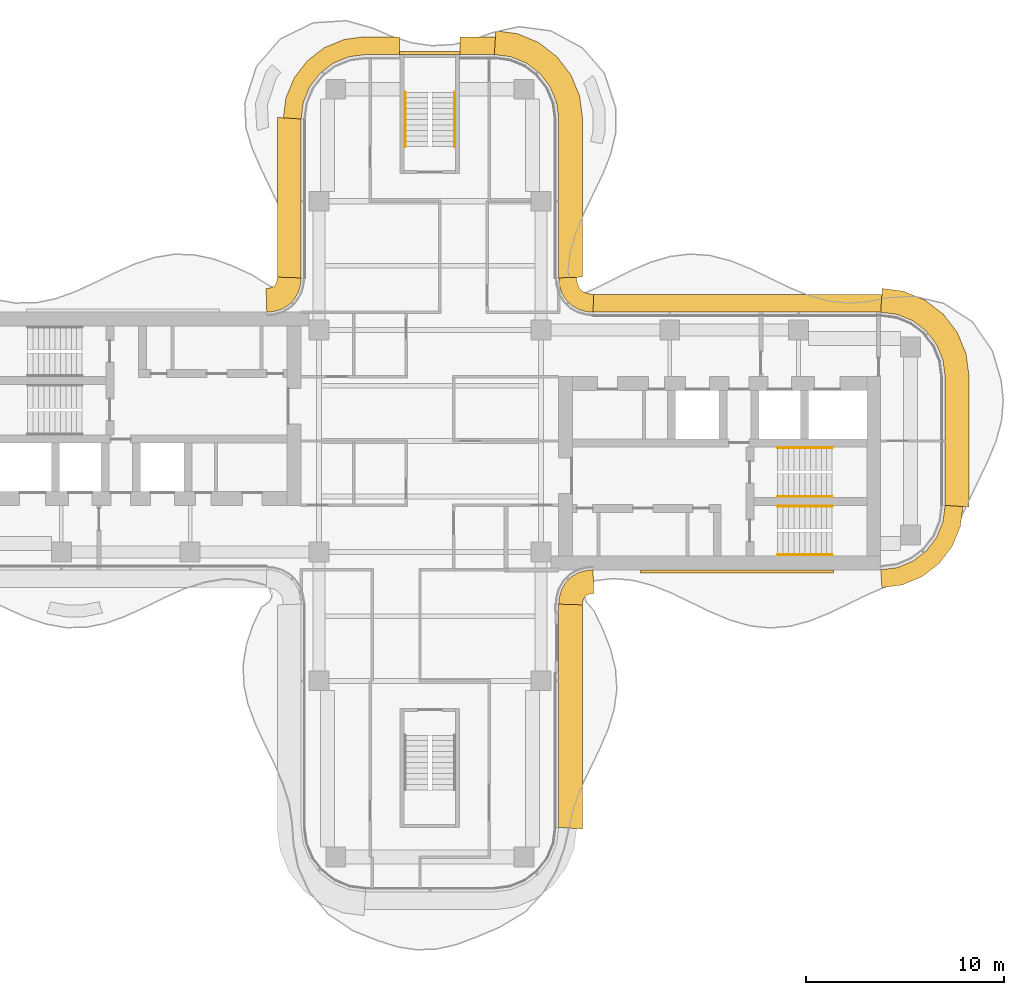
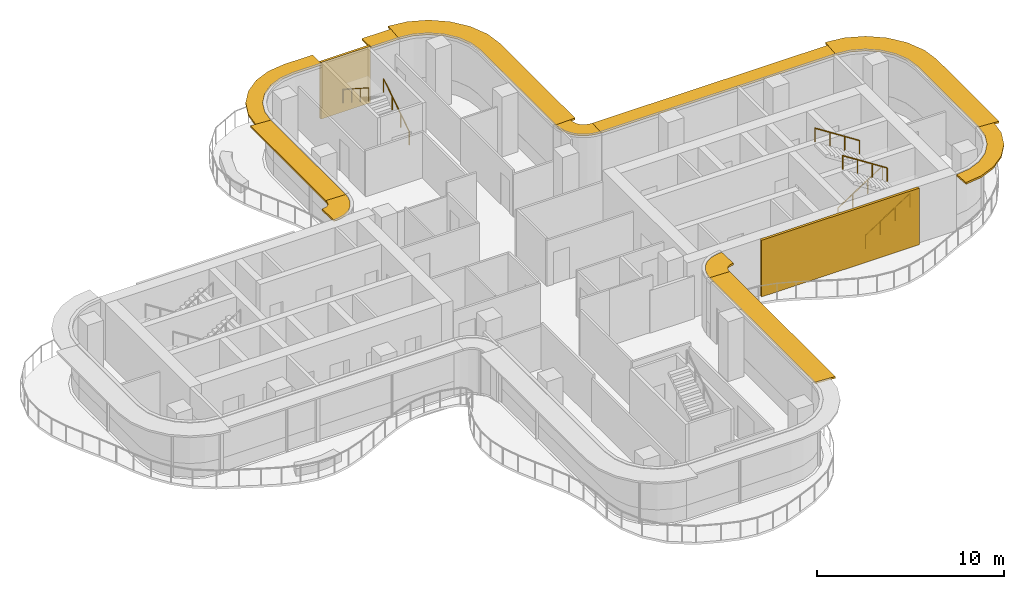
# One storey, part 16 of 16: 11 shading devices, 6 railings, 2 coverings.
"""IFC4 building model written with IfcOpenShell, lengths in metres."""

from ifc_helpers import new_model, si_unit, direction, frame, origin, origin_2d, place, context, subcontext, project, spatial, polyline, circle, outline, extrude, source, transform, mapped, material, layer, layer_set, type_object, element, save


model = new_model("IFC4")

# Units and contexts
model_context = context("Model", 3, precision=1e-05, world=origin(), true_north=direction((0.0, 1.0)))
body_context = subcontext(model_context, "Body", "Model", "MODEL_VIEW")
ifc_project = project(units=[si_unit("LENGTHUNIT", "METRE"), si_unit("AREAUNIT", "SQUARE_METRE"), si_unit("VOLUMEUNIT", "CUBIC_METRE"), si_unit("PLANEANGLEUNIT", "RADIAN"), si_unit("MASSUNIT", "GRAM", prefix="KILO")], contexts=[model_context])

# Site, building, storey
site_placement = place(None, origin())
site = spatial("IfcSite", under=ifc_project, at=site_placement, CompositionType="ELEMENT")
building_placement = place(site_placement, origin())
building = spatial("IfcBuilding", under=site, at=building_placement, Name="Trellis Farm Tower", CompositionType="ELEMENT")
storey_placement = place(building_placement, frame((0.0, 0.0, 314.5)))
storey = spatial("IfcBuildingStorey", under=building, at=storey_placement, Name="L71", CompositionType="ELEMENT", Elevation=314.5)

# Railings
ifc_material_1 = material(Name="Stainless steel", Category="steel")
railing_type = type_object("IfcRailingType", Name="STAIR HANDRAIL 900", PredefinedType="HANDRAIL", material=ifc_material_1)
shared_shape_1 = source(origin(), body_context, "Body", "SweptSolid", [
    extrude(circle(Radius=0.02392578125, at=origin_2d()), frame((0.0, 0.0, 0.8759765625), z_axis=(0.0, 0.840503830235, 0.541805602924), x_axis=(-1.0, 0.0, 0.0)), (0.0, 0.0, 1.0), 3.271728515625),
    extrude(circle(Radius=0.02099609375, at=origin_2d()), origin(), (0.0, 0.0, 1.0), 0.851806640625),
    extrude(circle(Radius=0.02099609375, at=origin_2d()), frame((0.0, 0.916748046875, 0.5908203125)), (0.0, 0.0, 1.0), 0.851806640625),
    extrude(circle(Radius=0.02099609375, at=origin_2d()), frame((0.0, 1.833251953125, 1.181884765625)), (0.0, 0.0, 1.0), 0.851806640625),
    extrude(circle(Radius=0.02099609375, at=origin_2d()), frame((0.0, 2.75, 1.772705078125)), (0.0, 0.0, 1.0), 0.851806640625),
])
railing_1_placement = place(storey_placement, frame((1.25, 14.85009765625, 0.17724609375)))
element("IfcRailing", 1, at=railing_1_placement, inside=storey, type_object=railing_type, Name="Stair handrail", PredefinedType="HANDRAIL", context=body_context, shape_type="MappedRepresentation", body=[
    mapped(shared_shape_1, transform((0.0, 0.0, 0.0))),
])
shared_shape_2 = source(origin(), body_context, "Body", "SweptSolid", [
    extrude(circle(Radius=0.02392578125, at=origin_2d()), frame((0.0, 0.0, 0.8759765625), z_axis=(0.0, -0.840503830235, 0.541805602924), x_axis=(1.0, 0.0, 0.0)), (0.0, 0.0, 1.0), 3.271728515625),
    extrude(circle(Radius=0.02099609375, at=origin_2d()), origin(), (0.0, 0.0, 1.0), 0.851806640625),
    extrude(circle(Radius=0.02099609375, at=origin_2d()), frame((0.0, -0.916748046875, 0.5908203125)), (0.0, 0.0, 1.0), 0.851806640625),
    extrude(circle(Radius=0.02099609375, at=origin_2d()), frame((0.0, -1.833251953125, 1.181884765625)), (0.0, 0.0, 1.0), 0.851806640625),
    extrude(circle(Radius=0.02099609375, at=origin_2d()), frame((0.0, -2.75, 1.772705078125)), (0.0, 0.0, 1.0), 0.851806640625),
])
railing_2_placement = place(storey_placement, frame((-1.25, 17.60009765625, 2.127197265625)))
element("IfcRailing", 2, at=railing_2_placement, inside=storey, type_object=railing_type, Name="Stair handrail", PredefinedType="HANDRAIL", context=body_context, shape_type="MappedRepresentation", body=[
    mapped(shared_shape_2, transform((0.0, 0.0, 0.0))),
])
shared_shape_3 = source(origin(), body_context, "Body", "SweptSolid", [
    extrude(circle(Radius=0.02392578125, at=origin_2d()), frame((0.0, 0.0, 0.8759765625), z_axis=(0.840503830235, 0.0, 0.541805602924), x_axis=(0.0, 1.0, 0.0)), (0.0, 0.0, 1.0), 3.271728515625),
    extrude(circle(Radius=0.02099609375, at=origin_2d()), origin(), (0.0, 0.0, 1.0), 0.851806640625),
    extrude(circle(Radius=0.02099609375, at=origin_2d()), frame((0.916748046875, 0.0, 0.5908203125)), (0.0, 0.0, 1.0), 0.851806640625),
    extrude(circle(Radius=0.02099609375, at=origin_2d()), frame((1.833251953125, 0.0, 1.181884765625)), (0.0, 0.0, 1.0), 0.851806640625),
    extrude(circle(Radius=0.02099609375, at=origin_2d()), frame((2.75, 0.0, 1.772705078125)), (0.0, 0.0, 1.0), 0.851806640625),
])
for number, where, name in (
    (3, (17.550048828125, -5.75, 0.17724609375), "Stair handrail"),
    (4, (17.550048828125, -2.800048828125, 0.17724609375), "Stair handrail"),
):
    element("IfcRailing", number, at=place(storey_placement, frame(where)), inside=storey, type_object=railing_type, Name=name, PredefinedType="HANDRAIL", context=body_context, shape_type="MappedRepresentation", body=[
        mapped(shared_shape_3, transform((0.0, 0.0, 0.0))),
    ])
shared_shape_4 = source(origin(), body_context, "Body", "SweptSolid", [
    extrude(circle(Radius=0.02392578125, at=origin_2d()), frame((0.0, 0.0, 0.8759765625), z_axis=(-0.840503830235, 0.0, 0.541805602924), x_axis=(0.0, -1.0, 0.0)), (0.0, 0.0, 1.0), 3.271728515625),
    extrude(circle(Radius=0.02099609375, at=origin_2d()), origin(), (0.0, 0.0, 1.0), 0.851806640625),
    extrude(circle(Radius=0.02099609375, at=origin_2d()), frame((-0.916748046875, 0.0, 0.5908203125)), (0.0, 0.0, 1.0), 0.851806640625),
    extrude(circle(Radius=0.02099609375, at=origin_2d()), frame((-1.833251953125, 0.0, 1.181884765625)), (0.0, 0.0, 1.0), 0.851806640625),
    extrude(circle(Radius=0.02099609375, at=origin_2d()), frame((-2.75, 0.0, 1.772705078125)), (0.0, 0.0, 1.0), 0.851806640625),
])
for number, where, name in (
    (5, (20.300048828125, -3.300048828125, 2.127197265625), "Stair handrail"),
    (6, (20.300048828125, -0.35009765625, 2.127197265625), "Stair handrail"),
):
    element("IfcRailing", number, at=place(storey_placement, frame(where)), inside=storey, type_object=railing_type, Name=name, PredefinedType="HANDRAIL", context=body_context, shape_type="MappedRepresentation", body=[
        mapped(shared_shape_4, transform((0.0, 0.0, 0.0))),
    ])

# Shading devices
ifc_material_2 = material(Name="Aluminium extrusion 6063-T6", Category="aluminium")
ifc_layer_1 = layer(ifc_material_2, 0.1201171875)
ifc_layer_set_1 = layer_set([ifc_layer_1], Name="SUNSHADE BLADE 1200")
shading_device_type_1 = type_object("IfcShadingDeviceType", Name="SUNSHADE BLADE 1200", PredefinedType="USERDEFINED", material=ifc_layer_set_1)
shared_shape_5 = source(origin(), body_context, "Body", "SweptSolid", [
    extrude(outline(polyline([(7.699951171875, -8.270751953125), (7.708740234375, -8.13720703125), (7.70703125, -8.150146484375), (7.7548828125, -7.9716796875), (7.80712890625, -7.881103515625), (7.881103515625, -7.80712890625), (7.9716796875, -7.7548828125), (8.150146484375, -7.70703125), (8.13720703125, -7.708740234375), (8.270751953125, -7.699951171875), (8.2314453125, -6.5), (8.01953125, -6.513916015625), (7.91552734375, -6.527587890625), (7.508544921875, -6.63671875), (7.144287109375, -6.846923828125), (6.846923828125, -7.144287109375), (6.63671875, -7.508544921875), (6.527587890625, -7.91552734375), (6.513916015625, -8.01953125), (6.5, -8.2314453125), (7.699951171875, -8.270751953125)])), origin(), (0.0, 0.0, 1.0), 0.119873046875),
])
placement_1 = place(storey_placement, frame((0.0, 0.0, 3.5400390625)))
element("IfcShadingDevice", 7, at=placement_1, inside=storey, type_object=shading_device_type_1, Name="SD2 006", ObjectType="SUNSHADE", PredefinedType="USERDEFINED", context=body_context, shape_type="MappedRepresentation", body=[
    mapped(shared_shape_5, transform((0.0, 0.0, 0.0))),
])
ifc_layer_2 = layer(ifc_material_2, 0.1201171875)
ifc_layer_set_2 = layer_set([ifc_layer_2], Name="SUNSHADE BLADE 900")
shading_device_type_2 = type_object("IfcShadingDeviceType", Name="SUNSHADE BLADE 900", PredefinedType="USERDEFINED", material=ifc_layer_set_2)
shared_shape_6 = source(origin(), body_context, "Body", "SweptSolid", [
    extrude(outline(polyline([(8.2607421875, 7.39990234375), (8.107666015625, 7.409912109375), (8.091552734375, 7.412109375), (7.85595703125, 7.475341796875), (7.697021484375, 7.567138671875), (7.567138671875, 7.697021484375), (7.475341796875, 7.85595703125), (7.412109375, 8.091552734375), (7.409912109375, 8.107666015625), (7.39990234375, 8.2607421875), (6.5, 8.2314453125), (6.513916015625, 8.01953125), (6.527587890625, 7.91552734375), (6.63671875, 7.508544921875), (6.846923828125, 7.144287109375), (7.144287109375, 6.846923828125), (7.508544921875, 6.63671875), (7.91552734375, 6.527587890625), (8.01953125, 6.513916015625), (8.2314453125, 6.5), (8.2607421875, 7.39990234375)])), origin(), (0.0, 0.0, 1.0), 0.119873046875),
])
element("IfcShadingDevice", 8, at=placement_1, inside=storey, type_object=shading_device_type_2, Name="SD1 010", ObjectType="SUNSHADE", PredefinedType="USERDEFINED", context=body_context, shape_type="MappedRepresentation", body=[
    mapped(shared_shape_6, transform((0.0, 0.0, 0.0))),
])
shared_shape_7 = source(origin(), body_context, "Body", "SweptSolid", [
    extrude(outline(polyline([(-7.699951171875, 8.270751953125), (-7.708740234375, 8.13720703125), (-7.70703125, 8.150146484375), (-7.7548828125, 7.9716796875), (-7.80712890625, 7.881103515625), (-7.881103515625, 7.80712890625), (-7.9716796875, 7.7548828125), (-8.150146484375, 7.70703125), (-8.13720703125, 7.708740234375), (-8.270751953125, 7.699951171875), (-8.2314453125, 6.5), (-8.01953125, 6.513916015625), (-7.91552734375, 6.527587890625), (-7.508544921875, 6.63671875), (-7.144287109375, 6.846923828125), (-6.846923828125, 7.144287109375), (-6.63671875, 7.508544921875), (-6.527587890625, 7.91552734375), (-6.513916015625, 8.01953125), (-6.5, 8.2314453125), (-7.699951171875, 8.270751953125)])), origin(), (0.0, 0.0, 1.0), 0.119873046875),
])
element("IfcShadingDevice", 9, at=placement_1, inside=storey, type_object=shading_device_type_1, Name="SD2 015", ObjectType="SUNSHADE", PredefinedType="USERDEFINED", context=body_context, shape_type="MappedRepresentation", body=[
    mapped(shared_shape_7, transform((0.0, 0.0, 0.0))),
])

# Covering
ifc_material_3 = material(Name="Perforated precast screen (cobogo)", Category="concrete")
ifc_layer_3 = layer(ifc_material_3, 0.14990234375)
ifc_layer_set_3 = layer_set([ifc_layer_3], Name="COBOGO SCREEN PANEL")
covering_type = type_object("IfcCoveringType", Name="COBOGO SCREEN PANEL", PredefinedType="USERDEFINED", material=ifc_layer_set_3)
shared_shape_8 = source(origin(), body_context, "Body", "SweptSolid", [
    extrude(outline(polyline([(10.61572265625, -6.64990234375), (20.36572265625, -6.64990234375), (20.36572265625, -6.5), (10.61572265625, -6.5), (10.61572265625, -6.64990234375)])), origin(), (0.0, 0.0, 1.0), 3.699951171875),
])
placement_2 = place(storey_placement, origin())
element("IfcCovering", 10, at=placement_2, inside=storey, type_object=covering_type, Name="SC1 01", ObjectType="SCREEN", PredefinedType="USERDEFINED", context=body_context, shape_type="MappedRepresentation", body=[
    mapped(shared_shape_8, transform((0.0, 0.0, 0.0))),
])

# Shading devices
shared_shape_9 = source(origin(), body_context, "Body", "SweptSolid", [
    extrude(outline(polyline([(22.80908203125, -7.39990234375), (23.826171875, -7.26611328125), (24.828857421875, -6.850830078125), (25.68994140625, -6.18994140625), (26.350830078125, -5.328857421875), (26.76611328125, -4.326171875), (26.89990234375, -3.30908203125), (26.0, -3.25), (25.88916015625, -4.091064453125), (25.564697265625, -4.875), (25.048095703125, -5.548095703125), (24.375, -6.064697265625), (23.591064453125, -6.38916015625), (22.75, -6.5), (22.80908203125, -7.39990234375)])), origin(), (0.0, 0.0, 1.0), 0.119873046875),
])
element("IfcShadingDevice", 11, at=placement_1, inside=storey, type_object=shading_device_type_2, Name="SD1 007", ObjectType="SUNSHADE", PredefinedType="USERDEFINED", context=body_context, shape_type="MappedRepresentation", body=[
    mapped(shared_shape_9, transform((0.0, 0.0, 0.0))),
])
shared_shape_10 = source(origin(), body_context, "Body", "SweptSolid", [
    extrude(outline(polyline([(27.199951171875, -3.32861328125), (27.199951171875, 3.32861328125), (27.058349609375, 4.404541015625), (26.61279296875, 5.480224609375), (25.904052734375, 6.404052734375), (24.980224609375, 7.11279296875), (23.904541015625, 7.558349609375), (22.82861328125, 7.699951171875), (22.75, 6.5), (23.591064453125, 6.38916015625), (24.375, 6.064697265625), (25.048095703125, 5.548095703125), (25.564697265625, 4.875), (25.88916015625, 4.091064453125), (26.0, 3.25), (26.0, -3.25), (27.199951171875, -3.32861328125)])), origin(), (0.0, 0.0, 1.0), 0.119873046875),
])
element("IfcShadingDevice", 12, at=placement_1, inside=storey, type_object=shading_device_type_1, Name="SD2 008", ObjectType="SUNSHADE", PredefinedType="USERDEFINED", context=body_context, shape_type="MappedRepresentation", body=[
    mapped(shared_shape_10, transform((0.0, 0.0, 0.0))),
])
shared_shape_11 = source(origin(), body_context, "Body", "SweptSolid", [
    extrude(outline(polyline([(22.80908203125, 7.39990234375), (8.2607421875, 7.39990234375), (8.2314453125, 6.5), (22.75, 6.5), (22.80908203125, 7.39990234375)])), origin(), (0.0, 0.0, 1.0), 0.119873046875),
])
element("IfcShadingDevice", 13, at=placement_1, inside=storey, type_object=shading_device_type_2, Name="SD1 009", ObjectType="SUNSHADE", PredefinedType="USERDEFINED", context=body_context, shape_type="MappedRepresentation", body=[
    mapped(shared_shape_11, transform((0.0, 0.0, 0.0))),
])
shared_shape_12 = source(origin(), body_context, "Body", "SweptSolid", [
    extrude(outline(polyline([(7.699951171875, -19.57861328125), (7.699951171875, -8.270751953125), (6.5, -8.2314453125), (6.5, -19.5), (7.699951171875, -19.57861328125)])), origin(), (0.0, 0.0, 1.0), 0.119873046875),
])
element("IfcShadingDevice", 14, at=placement_1, inside=storey, type_object=shading_device_type_1, Name="SD2 005", ObjectType="SUNSHADE", PredefinedType="USERDEFINED", context=body_context, shape_type="MappedRepresentation", body=[
    mapped(shared_shape_12, transform((0.0, 0.0, 0.0))),
])

# Covering
shared_shape_13 = source(origin(), body_context, "Body", "SweptSolid", [
    extrude(outline(polyline([(1.530029296875, 19.64990234375), (-1.530029296875, 19.64990234375), (-1.530029296875, 19.5), (1.530029296875, 19.5), (1.530029296875, 19.64990234375)])), origin(), (0.0, 0.0, 1.0), 3.699951171875),
])
element("IfcCovering", 15, at=placement_2, inside=storey, type_object=covering_type, Name="SC1 02", ObjectType="SCREEN", PredefinedType="USERDEFINED", context=body_context, shape_type="MappedRepresentation", body=[
    mapped(shared_shape_13, transform((0.0, 0.0, 0.0))),
])

# Shading devices
shared_shape_14 = source(origin(), body_context, "Body", "SweptSolid", [
    extrude(outline(polyline([(7.699951171875, 8.270751953125), (7.699951171875, 16.32861328125), (7.558349609375, 17.404541015625), (7.11279296875, 18.480224609375), (6.404052734375, 19.404052734375), (5.480224609375, 20.11279296875), (4.404541015625, 20.558349609375), (3.32861328125, 20.699951171875), (3.25, 19.5), (4.091064453125, 19.38916015625), (4.875, 19.064697265625), (5.548095703125, 18.548095703125), (6.064697265625, 17.875), (6.38916015625, 17.091064453125), (6.5, 16.25), (6.5, 8.2314453125), (7.699951171875, 8.270751953125)])), origin(), (0.0, 0.0, 1.0), 0.119873046875),
])
element("IfcShadingDevice", 16, at=placement_1, inside=storey, type_object=shading_device_type_1, Name="SD2 011", ObjectType="SUNSHADE", PredefinedType="USERDEFINED", context=body_context, shape_type="MappedRepresentation", body=[
    mapped(shared_shape_14, transform((0.0, 0.0, 0.0))),
])
shared_shape_15 = source(origin(), body_context, "Body", "SweptSolid", [
    extrude(outline(polyline([(3.30908203125, 20.39990234375), (1.530029296875, 20.39990234375), (1.530029296875, 19.5), (3.25, 19.5), (3.30908203125, 20.39990234375)])), origin(), (0.0, 0.0, 1.0), 0.119873046875),
])
element("IfcShadingDevice", 17, at=placement_1, inside=storey, type_object=shading_device_type_2, Name="SD1 012", ObjectType="SUNSHADE", PredefinedType="USERDEFINED", context=body_context, shape_type="MappedRepresentation", body=[
    mapped(shared_shape_15, transform((0.0, 0.0, 0.0))),
])
shared_shape_16 = source(origin(), body_context, "Body", "SweptSolid", [
    extrude(outline(polyline([(-1.530029296875, 20.39990234375), (-3.30908203125, 20.39990234375), (-4.326171875, 20.26611328125), (-5.328857421875, 19.850830078125), (-6.18994140625, 19.18994140625), (-6.850830078125, 18.328857421875), (-7.26611328125, 17.326171875), (-7.39990234375, 16.30908203125), (-6.5, 16.25), (-6.38916015625, 17.091064453125), (-6.064697265625, 17.875), (-5.548095703125, 18.548095703125), (-4.875, 19.064697265625), (-4.091064453125, 19.38916015625), (-3.25, 19.5), (-1.530029296875, 19.5), (-1.530029296875, 20.39990234375)])), origin(), (0.0, 0.0, 1.0), 0.119873046875),
])
element("IfcShadingDevice", 18, at=placement_1, inside=storey, type_object=shading_device_type_2, Name="SD1 013", ObjectType="SUNSHADE", PredefinedType="USERDEFINED", context=body_context, shape_type="MappedRepresentation", body=[
    mapped(shared_shape_16, transform((0.0, 0.0, 0.0))),
])
shared_shape_17 = source(origin(), body_context, "Body", "SweptSolid", [
    extrude(outline(polyline([(-7.699951171875, 16.32861328125), (-7.699951171875, 8.270751953125), (-6.5, 8.2314453125), (-6.5, 16.25), (-7.699951171875, 16.32861328125)])), origin(), (0.0, 0.0, 1.0), 0.119873046875),
])
element("IfcShadingDevice", 19, at=placement_1, inside=storey, type_object=shading_device_type_1, Name="SD2 014", ObjectType="SUNSHADE", PredefinedType="USERDEFINED", context=body_context, shape_type="MappedRepresentation", body=[
    mapped(shared_shape_17, transform((0.0, 0.0, 0.0))),
])

save(model, "model.ifc")
